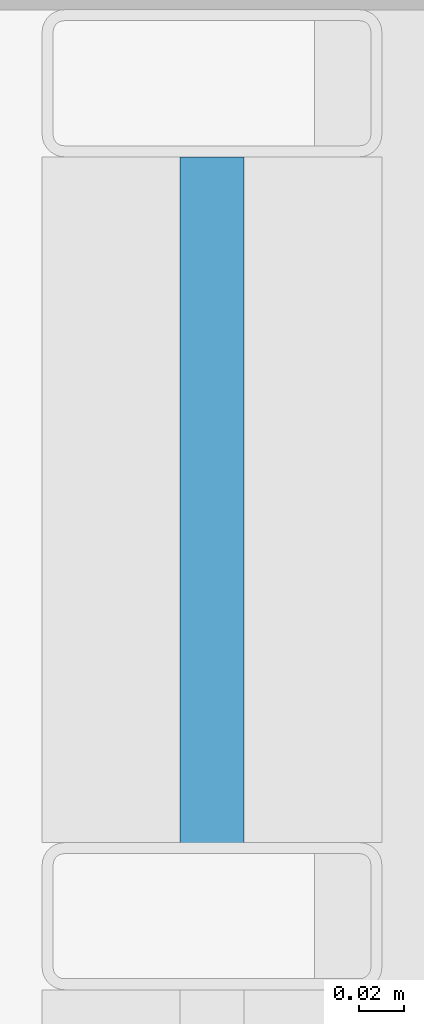
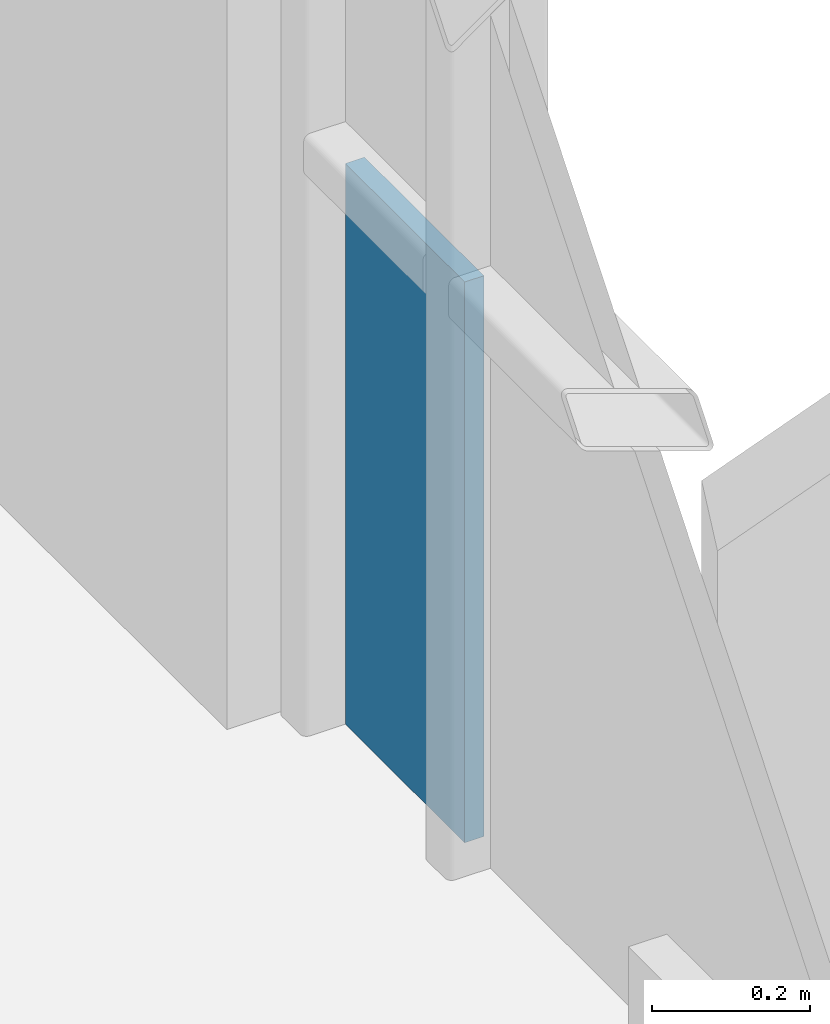
# One storey, part 28 of 38: 1 plate, 1 element without a shape of its own.
"""IFC4 building model written with IfcOpenShell, lengths in metres."""

from ifc_helpers import new_model, si_unit, direction, frame, origin, origin_2d, place, context, subcontext, project, spatial, rectangle, extrude, material, layer, layer_set, type_object, element, aggregate, save


model = new_model("IFC4")

# Units and contexts
model_context = context("Model", 3, precision=1e-05, world=origin(), true_north=direction((0.0, 1.0)))
body_context = subcontext(model_context, "Body", "Model", "MODEL_VIEW")
ifc_project = project(units=[si_unit("LENGTHUNIT", "METRE"), si_unit("AREAUNIT", "SQUARE_METRE"), si_unit("VOLUMEUNIT", "CUBIC_METRE"), si_unit("PLANEANGLEUNIT", "RADIAN"), si_unit("MASSUNIT", "GRAM", prefix="KILO")], contexts=[model_context])

# Site, building, storey
site_placement = place(None, origin())
site = spatial("IfcSite", under=ifc_project, at=site_placement, CompositionType="ELEMENT")
building_placement = place(site_placement, origin())
building = spatial("IfcBuilding", under=site, at=building_placement, Name="Brevholm Reach", CompositionType="ELEMENT")
storey_placement = place(building_placement, frame((0.0, 0.0, 141.800048828125)))
storey = spatial("IfcBuildingStorey", under=building, at=storey_placement, Name="L42", CompositionType="ELEMENT", Elevation=141.800048828125)

# Curtain wall, plate
ifc_material_1 = material(Name="Dark Anodised Aluminium 6063-T6 and Solar-Control Glass", Category="aluminium")
ifc_layer_1 = layer(ifc_material_1, 0.14990234375)
ifc_layer_set_1 = layer_set([ifc_layer_1], Name="Dark Anodised Aluminium 6063-T6 and Solar-Control Glass")
curtain_wall_type = type_object("IfcCurtainWallType", Name="CW-01", PredefinedType="NOTDEFINED", material=ifc_layer_set_1)
curtain_wall_placement = place(storey_placement, origin())
curtain_wall = element("IfcCurtainWall", 1, at=curtain_wall_placement, inside=storey, type_object=curtain_wall_type, Name="L42 Curtain Wall CW-01", PredefinedType="NOTDEFINED")
ifc_material_2 = material(Name="Dark Solar-Control Double-Glazed IGU Glass", Category="glass")
ifc_layer_2 = layer(ifc_material_2, 0.028076171875)
ifc_layer_set_2 = layer_set([ifc_layer_2], Name="Dark Solar-Control Double-Glazed IGU Glass")
plate_type = type_object("IfcPlateType", Name="CWP-GLZ-28", PredefinedType="CURTAIN_PANEL", material=ifc_layer_set_2)
plate_placement = place(storey_placement, frame((59.85009765625, 22.733642578125, 0.0), z_axis=(0.0, 0.0, 1.0), x_axis=(0.0, 1.0, 0.0)))
plate = element("IfcPlate", 2, at=plate_placement, type_object=plate_type, Name="CP-01 Glazing Panel 5.1", PredefinedType="CURTAIN_PANEL", context=body_context, shape_type="SweptSolid", body=[
    extrude(rectangle(XDim=0.302490234375, YDim=0.028076171875, at=origin_2d()), origin(), (0.0, 0.0, 1.0), 0.867431640625),
])
aggregate(curtain_wall, [plate])

save(model, "model.ifc")
